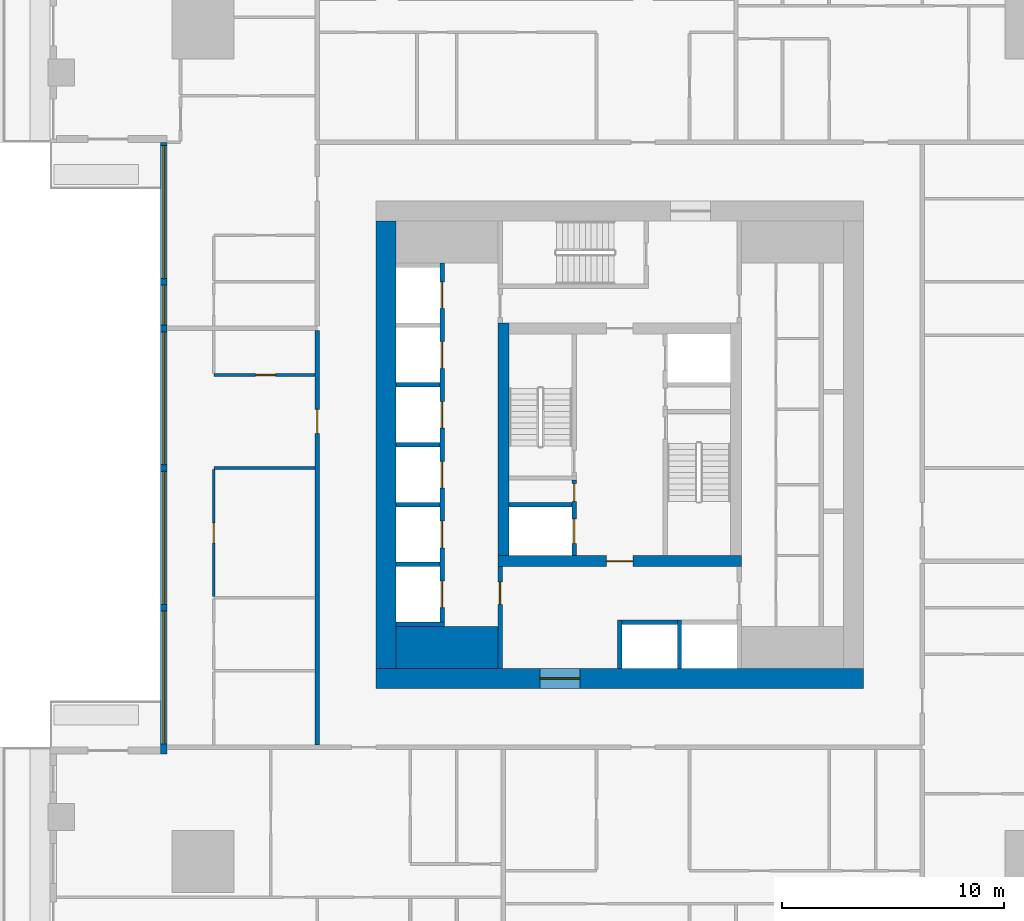
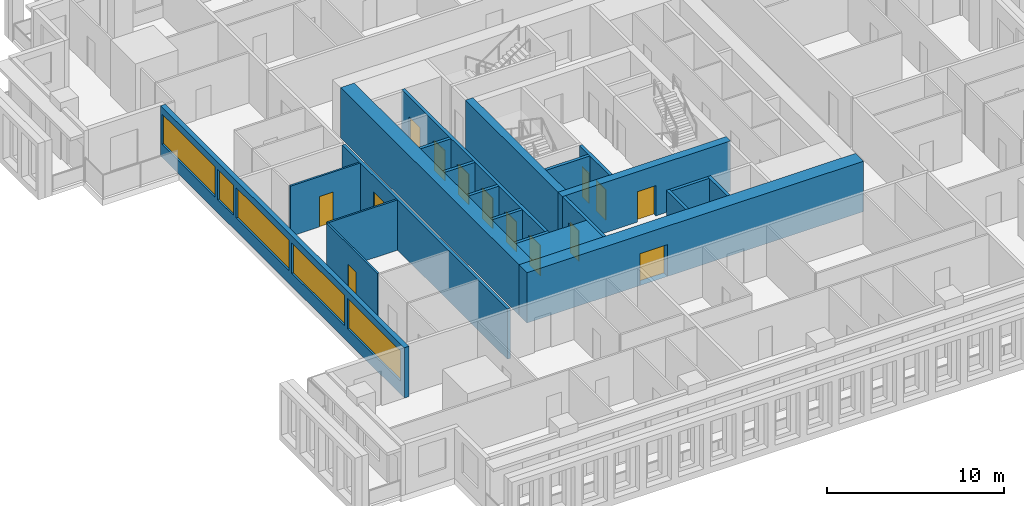
# One storey, part 3 of 15: 22 walls, 14 doors, 5 windows, 19 openings.
"""IFC4 building model written with IfcOpenShell, lengths in metres."""

from ifc_helpers import new_model, si_unit, direction, frame, frame_2d, origin, place, context, subcontext, project, spatial, rectangle, extrude, material, layer, layer_set, type_object, element, fill, save


model = new_model("IFC4")

# Units and contexts
model_context = context("Model", 3, precision=1e-05, world=origin(), true_north=direction((0.0, 1.0)))
body_context = subcontext(model_context, "Body", "Model", "MODEL_VIEW")
ifc_project = project(units=[si_unit("LENGTHUNIT", "METRE"), si_unit("AREAUNIT", "SQUARE_METRE"), si_unit("VOLUMEUNIT", "CUBIC_METRE"), si_unit("PLANEANGLEUNIT", "RADIAN"), si_unit("MASSUNIT", "GRAM", prefix="KILO")], contexts=[model_context])

# Site, building, storey
site_placement = place(None, origin())
site = spatial("IfcSite", under=ifc_project, at=site_placement, CompositionType="ELEMENT")
building_placement = place(site_placement, origin())
building = spatial("IfcBuilding", under=site, at=building_placement, Name="Khepri Terraces", CompositionType="ELEMENT")
storey_placement = place(building_placement, frame((0.0, 0.0, 118.199951171875)))
storey = spatial("IfcBuildingStorey", under=building, at=storey_placement, Name="L28", CompositionType="ELEMENT", Elevation=118.199951171875)

# Walls
ifc_material_1 = material(Name="Concrete C70/85", Category="concrete")
ifc_layer_1 = layer(ifc_material_1, 1.89990234375, Name="Concrete C70/85", Category="concrete")
ifc_layer_set_1 = layer_set([ifc_layer_1], Name="Concrete C70/85")
wall_type_1 = type_object("IfcWallType", Name="Core wall 1900 C70/85", PredefinedType="SHEAR", material=ifc_layer_set_1)
wall_1_placement = place(storey_placement, frame((-10.10009765625, -9.14990234375, 0.0), z_axis=(0.0, 0.0, 1.0), x_axis=(1.0, 0.0, 0.0)))
element("IfcWall", 1, at=wall_1_placement, inside=storey, type_object=wall_type_1, Name="Core wall PR01 L28", PredefinedType="SHEAR", context=body_context, shape_type="SweptSolid", body=[
    extrude(rectangle(XDim=4.60009765625, YDim=1.89990234375, at=frame_2d((2.300048828125, 0.0))), origin(), (0.0, 0.0, 1.0), 3.47998046875),
])
ifc_layer_2 = layer(ifc_material_1, 0.199951171875, Name="Concrete C70/85", Category="concrete")
ifc_layer_set_2 = layer_set([ifc_layer_2], Name="Concrete C70/85")
wall_type_2 = type_object("IfcWallType", Name="Core wall 200 C70/85", PredefinedType="SHEAR", material=ifc_layer_set_2)
for number, where, z_axis, x_axis, name in (
    (2, (0.0, -10.10009765625, 0.0), (0.0, 0.0, 1.0), (0.0, 1.0, 0.0), "Core wall SH01 L28"),
    (3, (2.699951171875, -10.10009765625, 0.0), (0.0, 0.0, 1.0), (0.0, 1.0, 0.0), "Core wall SH02 L28"),
    (4, (-10.10009765625, -8.10009765625, 0.0), (0.0, 0.0, 1.0), (1.0, 0.0, 0.0), "Core wall SH04 L28"),
):
    element("IfcWall", number, at=place(storey_placement, frame(where, z_axis=z_axis, x_axis=x_axis)), inside=storey, type_object=wall_type_2, Name=name, PredefinedType="SHEAR", context=body_context, shape_type="SweptSolid", body=[
        extrude(rectangle(XDim=2.2001953125, YDim=0.199951171875, at=frame_2d((1.10009765625, 0.0))), origin(), (0.0, 0.0, 1.0), 3.47998046875),
    ])
wall_2_placement = place(storey_placement, frame((0.10009765625, -8.0, 0.0), z_axis=(0.0, 0.0, 1.0), x_axis=(1.0, 0.0, 0.0)))
element("IfcWall", 5, at=wall_2_placement, inside=storey, type_object=wall_type_2, Name="Core wall SH06 L28", PredefinedType="SHEAR", context=body_context, shape_type="SweptSolid", body=[
    extrude(rectangle(XDim=2.5, YDim=0.199951171875, at=frame_2d((1.25, 0.0))), origin(), (0.0, 0.0, 1.0), 3.47998046875),
])

# Wall, openings, doors
wall_3_placement = place(storey_placement, frame((-8.0, -8.0, 0.0), z_axis=(0.0, 0.0, 1.0), x_axis=(0.0, 1.0, 0.0)))
wall_3 = element("IfcWall", 6, at=wall_3_placement, inside=storey, type_object=wall_type_2, Name="Core wall SH08 L28", PredefinedType="SHEAR", context=body_context, shape_type="SweptSolid", body=[
    extrude(rectangle(XDim=16.199951171875, YDim=0.199951171875, at=frame_2d((8.10009765625, 0.0))), origin(), (0.0, 0.0, 1.0), 3.47998046875),
])
opening_1_placement = place(wall_3_placement, frame((0.64990234375, 0.0, 0.0)))
opening_1 = element("IfcOpeningElement", 7, at=opening_1_placement, cuts=wall_3, Name="Opening L28-C01", PredefinedType="OPENING", context=body_context, shape_type="SweptSolid", body=[
    extrude(rectangle(XDim=1.199951171875, YDim=2.10009765625, at=frame_2d((0.60009765625, 1.050048828125))), frame((0.0, 0.10986328125, 0.0), z_axis=(0.0, -1.0, 0.0), x_axis=(1.0, 0.0, 0.0)), (0.0, 0.0, 1.0), 0.219970703125),
])
opening_2_placement = place(wall_3_placement, frame((3.35009765625, 0.0, 0.0)))
opening_2 = element("IfcOpeningElement", 8, at=opening_2_placement, cuts=wall_3, Name="Opening L28-C02", PredefinedType="OPENING", context=body_context, shape_type="SweptSolid", body=[
    extrude(rectangle(XDim=1.199951171875, YDim=2.10009765625, at=frame_2d((0.60009765625, 1.050048828125))), frame((0.0, 0.10986328125, 0.0), z_axis=(0.0, -1.0, 0.0), x_axis=(1.0, 0.0, 0.0)), (0.0, 0.0, 1.0), 0.219970703125),
])
opening_3_placement = place(wall_3_placement, frame((6.050048828125, 0.0, 0.0)))
opening_3 = element("IfcOpeningElement", 9, at=opening_3_placement, cuts=wall_3, Name="Opening L28-C03", PredefinedType="OPENING", context=body_context, shape_type="SweptSolid", body=[
    extrude(rectangle(XDim=1.199951171875, YDim=2.10009765625, at=frame_2d((0.60009765625, 1.050048828125))), frame((0.0, 0.10986328125, 0.0), z_axis=(0.0, -1.0, 0.0), x_axis=(1.0, 0.0, 0.0)), (0.0, 0.0, 1.0), 0.219970703125),
])
opening_4_placement = place(wall_3_placement, frame((8.75, 0.0, 0.0)))
opening_4 = element("IfcOpeningElement", 10, at=opening_4_placement, cuts=wall_3, Name="Opening L28-C04", PredefinedType="OPENING", context=body_context, shape_type="SweptSolid", body=[
    extrude(rectangle(XDim=1.199951171875, YDim=2.10009765625, at=frame_2d((0.60009765625, 1.050048828125))), frame((0.0, 0.10986328125, 0.0), z_axis=(0.0, -1.0, 0.0), x_axis=(1.0, 0.0, 0.0)), (0.0, 0.0, 1.0), 0.219970703125),
])
opening_5_placement = place(wall_3_placement, frame((11.449951171875, 0.0, 0.0)))
opening_5 = element("IfcOpeningElement", 11, at=opening_5_placement, cuts=wall_3, Name="Opening L28-C05", PredefinedType="OPENING", context=body_context, shape_type="SweptSolid", body=[
    extrude(rectangle(XDim=1.199951171875, YDim=2.10009765625, at=frame_2d((0.60009765625, 1.050048828125))), frame((0.0, 0.10986328125, 0.0), z_axis=(0.0, -1.0, 0.0), x_axis=(1.0, 0.0, 0.0)), (0.0, 0.0, 1.0), 0.219970703125),
])
opening_6_placement = place(wall_3_placement, frame((14.14990234375, 0.0, 0.0)))
opening_6 = element("IfcOpeningElement", 12, at=opening_6_placement, cuts=wall_3, Name="Opening L28-C06", PredefinedType="OPENING", context=body_context, shape_type="SweptSolid", body=[
    extrude(rectangle(XDim=1.199951171875, YDim=2.10009765625, at=frame_2d((0.60009765625, 1.050048828125))), frame((0.0, 0.10986328125, 0.0), z_axis=(0.0, -1.0, 0.0), x_axis=(1.0, 0.0, 0.0)), (0.0, 0.0, 1.0), 0.219970703125),
])
ifc_material_2 = material(Name="Stainless steel 304", Category="steel")
door_type_1 = type_object("IfcDoorType", Name="DR-CORE-LANDING-1200", OperationType="NOTDEFINED", PredefinedType="DOOR", material=ifc_material_2)
door_1_placement = place(opening_1_placement, origin())
door_1 = element("IfcDoor", 13, at=door_1_placement, inside=storey, type_object=door_type_1, Name="Lift landing door L28-C01", OperationType="SLIDING_TO_LEFT", OverallHeight=2.10009765625, OverallWidth=1.199951171875, PredefinedType="DOOR", context=body_context, shape_type="SweptSolid", body=[
    extrude(rectangle(XDim=1.199951171875, YDim=2.10009765625, at=frame_2d((0.60009765625, 1.050048828125))), frame((0.0, 0.02490234375, 0.0), z_axis=(0.0, -1.0, 0.0), x_axis=(1.0, 0.0, 0.0)), (0.0, 0.0, 1.0), 0.050048828125),
])
fill(opening_1, door_1)
door_2_placement = place(opening_2_placement, origin())
door_2 = element("IfcDoor", 14, at=door_2_placement, inside=storey, type_object=door_type_1, Name="Lift landing door L28-C02", OperationType="SLIDING_TO_LEFT", OverallHeight=2.10009765625, OverallWidth=1.199951171875, PredefinedType="DOOR", context=body_context, shape_type="SweptSolid", body=[
    extrude(rectangle(XDim=1.199951171875, YDim=2.10009765625, at=frame_2d((0.60009765625, 1.050048828125))), frame((0.0, 0.02490234375, 0.0), z_axis=(0.0, -1.0, 0.0), x_axis=(1.0, 0.0, 0.0)), (0.0, 0.0, 1.0), 0.050048828125),
])
fill(opening_2, door_2)
door_3_placement = place(opening_3_placement, origin())
door_3 = element("IfcDoor", 15, at=door_3_placement, inside=storey, type_object=door_type_1, Name="Lift landing door L28-C03", OperationType="SLIDING_TO_LEFT", OverallHeight=2.10009765625, OverallWidth=1.199951171875, PredefinedType="DOOR", context=body_context, shape_type="SweptSolid", body=[
    extrude(rectangle(XDim=1.199951171875, YDim=2.10009765625, at=frame_2d((0.60009765625, 1.050048828125))), frame((0.0, 0.02490234375, 0.0), z_axis=(0.0, -1.0, 0.0), x_axis=(1.0, 0.0, 0.0)), (0.0, 0.0, 1.0), 0.050048828125),
])
fill(opening_3, door_3)
door_4_placement = place(opening_4_placement, origin())
door_4 = element("IfcDoor", 16, at=door_4_placement, inside=storey, type_object=door_type_1, Name="Lift landing door L28-C04", OperationType="SLIDING_TO_LEFT", OverallHeight=2.10009765625, OverallWidth=1.199951171875, PredefinedType="DOOR", context=body_context, shape_type="SweptSolid", body=[
    extrude(rectangle(XDim=1.199951171875, YDim=2.10009765625, at=frame_2d((0.60009765625, 1.050048828125))), frame((0.0, 0.02490234375, 0.0), z_axis=(0.0, -1.0, 0.0), x_axis=(1.0, 0.0, 0.0)), (0.0, 0.0, 1.0), 0.050048828125),
])
fill(opening_4, door_4)
door_5_placement = place(opening_5_placement, origin())
door_5 = element("IfcDoor", 17, at=door_5_placement, inside=storey, type_object=door_type_1, Name="Lift landing door L28-C05", OperationType="SLIDING_TO_LEFT", OverallHeight=2.10009765625, OverallWidth=1.199951171875, PredefinedType="DOOR", context=body_context, shape_type="SweptSolid", body=[
    extrude(rectangle(XDim=1.199951171875, YDim=2.10009765625, at=frame_2d((0.60009765625, 1.050048828125))), frame((0.0, 0.02490234375, 0.0), z_axis=(0.0, -1.0, 0.0), x_axis=(1.0, 0.0, 0.0)), (0.0, 0.0, 1.0), 0.050048828125),
])
fill(opening_5, door_5)
door_6_placement = place(opening_6_placement, origin())
door_6 = element("IfcDoor", 18, at=door_6_placement, inside=storey, type_object=door_type_1, Name="Lift landing door L28-C06", OperationType="SLIDING_TO_LEFT", OverallHeight=2.10009765625, OverallWidth=1.199951171875, PredefinedType="DOOR", context=body_context, shape_type="SweptSolid", body=[
    extrude(rectangle(XDim=1.199951171875, YDim=2.10009765625, at=frame_2d((0.60009765625, 1.050048828125))), frame((0.0, 0.02490234375, 0.0), z_axis=(0.0, -1.0, 0.0), x_axis=(1.0, 0.0, 0.0)), (0.0, 0.0, 1.0), 0.050048828125),
])
fill(opening_6, door_6)

# Wall
wall_4_placement = place(storey_placement, frame((-10.10009765625, -5.39990234375, 0.0), z_axis=(0.0, 0.0, 1.0), x_axis=(1.0, 0.0, 0.0)))
element("IfcWall", 19, at=wall_4_placement, inside=storey, type_object=wall_type_2, Name="Core wall SH09 L28", PredefinedType="SHEAR", context=body_context, shape_type="SweptSolid", body=[
    extrude(rectangle(XDim=2.0, YDim=0.199951171875, at=frame_2d((1.0, 0.0))), origin(), (0.0, 0.0, 1.0), 3.47998046875),
])

# Wall, openings, doors
wall_5_placement = place(storey_placement, frame((-2.050048828125, -5.0, 0.0), z_axis=(0.0, 0.0, 1.0), x_axis=(0.0, 1.0, 0.0)))
wall_5 = element("IfcWall", 20, at=wall_5_placement, inside=storey, type_object=wall_type_2, Name="Core wall SH10 L28", PredefinedType="SHEAR", context=body_context, shape_type="SweptSolid", body=[
    extrude(rectangle(XDim=3.39990234375, YDim=0.199951171875, at=frame_2d((1.699951171875, 0.0))), origin(), (0.0, 0.0, 1.0), 3.47998046875),
])
opening_7_placement = place(wall_5_placement, frame((0.550048828125, 0.0, 0.0)))
opening_7 = element("IfcOpeningElement", 21, at=opening_7_placement, cuts=wall_5, Name="Opening L28-C08", PredefinedType="OPENING", context=body_context, shape_type="SweptSolid", body=[
    extrude(rectangle(XDim=1.10009765625, YDim=2.10009765625, at=frame_2d((0.550048828125, 1.050048828125))), frame((0.0, 0.10986328125, 0.0), z_axis=(0.0, -1.0, 0.0), x_axis=(1.0, 0.0, 0.0)), (0.0, 0.0, 1.0), 0.219970703125),
])
opening_8_placement = place(wall_5_placement, frame((2.449951171875, 0.0, 0.0)))
opening_8 = element("IfcOpeningElement", 22, at=opening_8_placement, cuts=wall_5, Name="Opening L28-C12", PredefinedType="OPENING", context=body_context, shape_type="SweptSolid", body=[
    extrude(rectangle(XDim=0.800048828125, YDim=2.10009765625, at=frame_2d((0.39990234375, 1.050048828125))), frame((0.0, 0.10986328125, 0.0), z_axis=(0.0, -1.0, 0.0), x_axis=(1.0, 0.0, 0.0)), (0.0, 0.0, 1.0), 0.219970703125),
])
door_type_2 = type_object("IfcDoorType", Name="DR-CORE-FF-LANDING-1100", OperationType="NOTDEFINED", PredefinedType="DOOR", material=ifc_material_2)
door_7_placement = place(opening_7_placement, origin())
door_7 = element("IfcDoor", 23, at=door_7_placement, inside=storey, type_object=door_type_2, Name="Firefighting lift landing door L28-C08", OperationType="SLIDING_TO_LEFT", OverallHeight=2.10009765625, OverallWidth=1.10009765625, PredefinedType="DOOR", context=body_context, shape_type="SweptSolid", body=[
    extrude(rectangle(XDim=1.10009765625, YDim=2.10009765625, at=frame_2d((0.550048828125, 1.050048828125))), frame((0.0, 0.02490234375, 0.0), z_axis=(0.0, -1.0, 0.0), x_axis=(1.0, 0.0, 0.0)), (0.0, 0.0, 1.0), 0.050048828125),
])
fill(opening_7, door_7)
ifc_material_3 = material(Name="Painted steel", Category="steel")
door_type_3 = type_object("IfcDoorType", Name="DR-CORE-RISER-800", OperationType="NOTDEFINED", PredefinedType="DOOR", material=ifc_material_3)
door_8_placement = place(opening_8_placement, origin())
door_8 = element("IfcDoor", 24, at=door_8_placement, inside=storey, type_object=door_type_3, Name="Riser door L28-C12", OperationType="SINGLE_SWING_RIGHT", OverallHeight=2.10009765625, OverallWidth=0.800048828125, PredefinedType="DOOR", context=body_context, shape_type="SweptSolid", body=[
    extrude(rectangle(XDim=0.800048828125, YDim=2.10009765625, at=frame_2d((0.39990234375, 1.050048828125))), frame((0.0, 0.02490234375, 0.0), z_axis=(0.0, -1.0, 0.0), x_axis=(1.0, 0.0, 0.0)), (0.0, 0.0, 1.0), 0.050048828125),
])
fill(opening_8, door_8)

# Walls
wall_6_placement = place(storey_placement, frame((-10.10009765625, -2.699951171875, 0.0), z_axis=(0.0, 0.0, 1.0), x_axis=(1.0, 0.0, 0.0)))
element("IfcWall", 25, at=wall_6_placement, inside=storey, type_object=wall_type_2, Name="Core wall SH12 L28", PredefinedType="SHEAR", context=body_context, shape_type="SweptSolid", body=[
    extrude(rectangle(XDim=2.0, YDim=0.199951171875, at=frame_2d((1.0, 0.0))), origin(), (0.0, 0.0, 1.0), 3.47998046875),
])
wall_7_placement = place(storey_placement, frame((-5.0, -2.699951171875, 0.0), z_axis=(0.0, 0.0, 1.0), x_axis=(1.0, 0.0, 0.0)))
element("IfcWall", 26, at=wall_7_placement, inside=storey, type_object=wall_type_2, Name="Core wall SH13 L28", PredefinedType="SHEAR", context=body_context, shape_type="SweptSolid", body=[
    extrude(rectangle(XDim=2.85009765625, YDim=0.199951171875, at=frame_2d((1.425048828125, 0.0))), origin(), (0.0, 0.0, 1.0), 3.47998046875),
])
for number, where, z_axis, x_axis, name in (
    (27, (-10.10009765625, 0.0, 0.0), (0.0, 0.0, 1.0), (1.0, 0.0, 0.0), "Core wall SH14 L28"),
    (28, (-10.10009765625, 2.699951171875, 0.0), (0.0, 0.0, 1.0), (1.0, 0.0, 0.0), "Core wall SH17 L28"),
):
    element("IfcWall", number, at=place(storey_placement, frame(where, z_axis=z_axis, x_axis=x_axis)), inside=storey, type_object=wall_type_2, Name=name, PredefinedType="SHEAR", context=body_context, shape_type="SweptSolid", body=[
        extrude(rectangle(XDim=2.0, YDim=0.199951171875, at=frame_2d((1.0, 0.0))), origin(), (0.0, 0.0, 1.0), 3.47998046875),
    ])

# Wall, opening, door
ifc_layer_3 = layer(ifc_material_1, 0.5, Name="Concrete C70/85", Category="concrete")
ifc_layer_set_3 = layer_set([ifc_layer_3], Name="Concrete C70/85")
wall_type_3 = type_object("IfcWallType", Name="Core wall 500 C70/85", PredefinedType="SHEAR", material=ifc_layer_set_3)
wall_8_placement = place(storey_placement, frame((-5.5, -5.25, 0.0), z_axis=(0.0, 0.0, 1.0), x_axis=(1.0, 0.0, 0.0)))
wall_8 = element("IfcWall", 29, at=wall_8_placement, inside=storey, type_object=wall_type_3, Name="Core wall BX01 L28", PredefinedType="SHEAR", context=body_context, shape_type="SweptSolid", body=[
    extrude(rectangle(XDim=11.0, YDim=0.5, at=frame_2d((5.5, 0.0))), origin(), (0.0, 0.0, 1.0), 3.47998046875),
])
opening_9_placement = place(wall_8_placement, frame((4.89990234375, 0.0, 0.0)))
opening_9 = element("IfcOpeningElement", 30, at=opening_9_placement, cuts=wall_8, Name="Opening L28-C14", PredefinedType="OPENING", context=body_context, shape_type="SweptSolid", body=[
    extrude(rectangle(XDim=1.199951171875, YDim=2.10009765625, at=frame_2d((0.60009765625, 1.050048828125))), frame((0.0, 0.260009765625, 0.0), z_axis=(0.0, -1.0, 0.0), x_axis=(1.0, 0.0, 0.0)), (0.0, 0.0, 1.0), 0.52001953125),
])
door_type_4 = type_object("IfcDoorType", Name="DR-CORE-FF-LOBBY-1200", OperationType="NOTDEFINED", PredefinedType="DOOR", material=ifc_material_3)
door_9_placement = place(opening_9_placement, origin())
door_9 = element("IfcDoor", 31, at=door_9_placement, inside=storey, type_object=door_type_4, Name="Firefighting lobby door L28-C14", OperationType="SINGLE_SWING_RIGHT", OverallHeight=2.10009765625, OverallWidth=1.199951171875, PredefinedType="DOOR", context=body_context, shape_type="SweptSolid", body=[
    extrude(rectangle(XDim=1.199951171875, YDim=2.10009765625, at=frame_2d((0.60009765625, 1.050048828125))), frame((0.0, 0.02490234375, 0.0), z_axis=(0.0, -1.0, 0.0), x_axis=(1.0, 0.0, 0.0)), (0.0, 0.0, 1.0), 0.050048828125),
])
fill(opening_9, door_9)

# Wall
wall_9_placement = place(storey_placement, frame((-5.25, -5.0, 0.0), z_axis=(0.0, 0.0, 1.0), x_axis=(0.0, 1.0, 0.0)))
element("IfcWall", 32, at=wall_9_placement, inside=storey, type_object=wall_type_3, Name="Core wall BX02 L28", PredefinedType="SHEAR", context=body_context, shape_type="SweptSolid", body=[
    extrude(rectangle(XDim=10.5, YDim=0.5, at=frame_2d((5.25, 0.0))), origin(), (0.0, 0.0, 1.0), 3.47998046875),
])

# Wall, opening, door
ifc_layer_4 = layer(ifc_material_1, 0.89990234375, Name="Concrete C70/85", Category="concrete")
ifc_layer_set_4 = layer_set([ifc_layer_4], Name="Concrete C70/85")
wall_type_4 = type_object("IfcWallType", Name="Core wall 900 C70/85", PredefinedType="SHEAR", material=ifc_layer_set_4)
wall_10_placement = place(storey_placement, frame((-11.0, -10.550048828125, 0.0), z_axis=(0.0, 0.0, 1.0), x_axis=(1.0, 0.0, 0.0)))
wall_10 = element("IfcWall", 33, at=wall_10_placement, inside=storey, type_object=wall_type_4, Name="Core wall OW-S L28", PredefinedType="SHEAR", context=body_context, shape_type="SweptSolid", body=[
    extrude(rectangle(XDim=22.0, YDim=0.89990234375, at=frame_2d((11.0, 0.0))), origin(), (0.0, 0.0, 1.0), 3.47998046875),
])
opening_10_placement = place(wall_10_placement, frame((7.39990234375, 0.0, 0.0)))
opening_10 = element("IfcOpeningElement", 34, at=opening_10_placement, cuts=wall_10, Name="Opening L28-C21", PredefinedType="OPENING", context=body_context, shape_type="SweptSolid", body=[
    extrude(rectangle(XDim=1.800048828125, YDim=2.199951171875, at=frame_2d((0.89990234375, 1.10009765625))), frame((0.0, 0.4599609375, 0.0), z_axis=(0.0, -1.0, 0.0), x_axis=(1.0, 0.0, 0.0)), (0.0, 0.0, 1.0), 0.919921875),
])
door_type_5 = type_object("IfcDoorType", Name="DR-CORE-ENTRANCE-1800", OperationType="NOTDEFINED", PredefinedType="DOOR", material=ifc_material_3)
door_10_placement = place(opening_10_placement, frame((1.800048828125, 0.0, 0.0), z_axis=(0.0, 0.0, 1.0), x_axis=(-1.0, 0.0, 0.0)))
door_10 = element("IfcDoor", 35, at=door_10_placement, inside=storey, type_object=door_type_5, Name="Core entrance door pair L28-C21", OperationType="DOUBLE_DOOR_SINGLE_SWING", OverallHeight=2.199951171875, OverallWidth=1.800048828125, PredefinedType="DOOR", context=body_context, shape_type="SweptSolid", body=[
    extrude(rectangle(XDim=1.800048828125, YDim=2.199951171875, at=frame_2d((0.89990234375, 1.10009765625))), frame((0.0, 0.02490234375, 0.0), z_axis=(0.0, -1.0, 0.0), x_axis=(1.0, 0.0, 0.0)), (0.0, 0.0, 1.0), 0.050048828125),
])
fill(opening_10, door_10)

# Wall
wall_11_placement = place(storey_placement, frame((-10.550048828125, -10.10009765625, 0.0), z_axis=(0.0, 0.0, 1.0), x_axis=(0.0, 1.0, 0.0)))
element("IfcWall", 36, at=wall_11_placement, inside=storey, type_object=wall_type_4, Name="Core wall OW-W L28", PredefinedType="SHEAR", context=body_context, shape_type="SweptSolid", body=[
    extrude(rectangle(XDim=20.2001953125, YDim=0.89990234375, at=frame_2d((10.10009765625, 0.0))), origin(), (0.0, 0.0, 1.0), 3.47998046875),
])

# Wall, opening, door
ifc_material_4 = material(Name="Fire-rated gypsum board partition")
ifc_layer_5 = layer(ifc_material_4, 0.199951171875, Name="Fire-rated gypsum board partition")
ifc_layer_set_5 = layer_set([ifc_layer_5], Name="Fire-rated gypsum board partition")
wall_type_5 = type_object("IfcWallType", Name="WL-CORE-PART-200", PredefinedType="PARTITIONING", material=ifc_layer_set_5)
wall_12_placement = place(storey_placement, frame((-5.39990234375, -10.10009765625, 0.0), z_axis=(0.0, 0.0, 1.0), x_axis=(0.0, 1.0, 0.0)))
wall_12 = element("IfcWall", 37, at=wall_12_placement, inside=storey, type_object=wall_type_5, Name="Core partition PT01 L28", PredefinedType="PARTITIONING", context=body_context, shape_type="SweptSolid", body=[
    extrude(rectangle(XDim=4.60009765625, YDim=0.199951171875, at=frame_2d((2.300048828125, 0.0))), origin(), (0.0, 0.0, 1.0), 3.47998046875),
])
opening_11_placement = place(wall_12_placement, frame((2.89990234375, 0.0, 0.0)))
opening_11 = element("IfcOpeningElement", 38, at=opening_11_placement, cuts=wall_12, Name="Opening L28-C18", PredefinedType="OPENING", context=body_context, shape_type="SweptSolid", body=[
    extrude(rectangle(XDim=1.0, YDim=2.10009765625, at=frame_2d((0.5, 1.050048828125))), frame((0.0, 0.10986328125, 0.0), z_axis=(0.0, -1.0, 0.0), x_axis=(1.0, 0.0, 0.0)), (0.0, 0.0, 1.0), 0.219970703125),
])
door_type_6 = type_object("IfcDoorType", Name="DR-CORE-LOBBY-1000", OperationType="NOTDEFINED", PredefinedType="DOOR", material=ifc_material_3)
door_11_placement = place(opening_11_placement, frame((1.0, 0.0, 0.0), z_axis=(0.0, 0.0, 1.0), x_axis=(-1.0, 0.0, 0.0)))
door_11 = element("IfcDoor", 39, at=door_11_placement, inside=storey, type_object=door_type_6, Name="Lobby door L28-C18", OperationType="SINGLE_SWING_LEFT", OverallHeight=2.10009765625, OverallWidth=1.0, PredefinedType="DOOR", context=body_context, shape_type="SweptSolid", body=[
    extrude(rectangle(XDim=1.0, YDim=2.10009765625, at=frame_2d((0.5, 1.050048828125))), frame((0.0, 0.02490234375, 0.0), z_axis=(0.0, -1.0, 0.0), x_axis=(1.0, 0.0, 0.0)), (0.0, 0.0, 1.0), 0.050048828125),
])
fill(opening_11, door_11)

ifc_material_5 = material(Name="Fire-rated gypsum plasterboard partition, mineral wool")
ifc_layer_6 = layer(ifc_material_5, 0.199951171875, Name="Fire-rated gypsum plasterboard partition, mineral wool")
ifc_layer_set_6 = layer_set([ifc_layer_6], Name="Fire-rated gypsum plasterboard partition, mineral wool")
wall_type_6 = type_object("IfcWallType", Name="WL-CORR-200", PredefinedType="PARTITIONING", material=ifc_layer_set_6)
wall_13_placement = place(storey_placement, frame((-13.64990234375, -13.550048828125, 0.0), z_axis=(0.0, 0.0, 1.0), x_axis=(0.0, 1.0, 0.0)))
wall_13 = element("IfcWall", 40, at=wall_13_placement, inside=storey, type_object=wall_type_6, Name="Partition P-029 L28", PredefinedType="PARTITIONING", context=body_context, shape_type="SweptSolid", body=[
    extrude(rectangle(XDim=18.699951171875, YDim=0.199951171875, at=frame_2d((9.35009765625, 0.0))), origin(), (0.0, 0.0, 1.0), 3.47998046875),
])
opening_12_placement = place(wall_13_placement, frame((14.050048828125, 0.0, 0.0)))
opening_12 = element("IfcOpeningElement", 41, at=opening_12_placement, cuts=wall_13, Name="Opening D1", PredefinedType="OPENING", context=body_context, shape_type="SweptSolid", body=[
    extrude(rectangle(XDim=1.10009765625, YDim=2.39990234375, at=frame_2d((0.550048828125, 1.199951171875))), frame((0.0, 0.10986328125, 0.0), z_axis=(0.0, -1.0, 0.0), x_axis=(1.0, 0.0, 0.0)), (0.0, 0.0, 1.0), 0.219970703125),
])
ifc_material_6 = material(Name="Solid-core timber door leaf, flat entrance door", Category="wood")
door_type_7 = type_object("IfcDoorType", Name="DR-ENT-1100", OperationType="NOTDEFINED", PredefinedType="DOOR", material=ifc_material_6)
door_12_placement = place(opening_12_placement, origin())
door_12 = element("IfcDoor", 42, at=door_12_placement, inside=storey, type_object=door_type_7, Name="Flat D2 entrance door", OperationType="SINGLE_SWING_RIGHT", OverallHeight=2.39990234375, OverallWidth=1.10009765625, PredefinedType="DOOR", context=body_context, shape_type="SweptSolid", body=[
    extrude(rectangle(XDim=1.10009765625, YDim=2.39990234375, at=frame_2d((0.550048828125, 1.199951171875))), frame((0.0, 0.02490234375, 0.0), z_axis=(0.0, -1.0, 0.0), x_axis=(1.0, 0.0, 0.0)), (0.0, 0.0, 1.0), 0.050048828125),
])
fill(opening_12, door_12)

# Wall, openings, windows
ifc_material_7 = material(Name="Precast concrete C50/60 warm stone", Category="masonry")
ifc_layer_7 = layer(ifc_material_7, 0.300048828125, Name="Precast concrete C50/60 warm stone", Category="masonry")
ifc_layer_set_7 = layer_set([ifc_layer_7], Name="Precast concrete C50/60 warm stone")
wall_type_7 = type_object("IfcWallType", Name="WL-EXT-PRECAST-300", PredefinedType="STANDARD", material=ifc_layer_set_7)
wall_14_placement = place(storey_placement, frame((-20.570068359375, 13.64990234375, 0.0), z_axis=(0.0, 0.0, 1.0), x_axis=(0.0, -1.0, 0.0)))
wall_14 = element("IfcWall", 43, at=wall_14_placement, inside=storey, type_object=wall_type_7, Name="External wall L28 W", PredefinedType="STANDARD", context=body_context, shape_type="SweptSolid", body=[
    extrude(rectangle(XDim=27.599853515625, YDim=0.300048828125, at=frame_2d((13.7998046875, 0.0))), origin(), (0.0, 0.0, 1.0), 3.47998046875),
])
opening_13_placement = place(wall_14_placement, frame((0.14990234375, 0.0, 0.89990234375)))
opening_13 = element("IfcOpeningElement", 44, at=opening_13_placement, cuts=wall_14, Name="Opening W3", PredefinedType="OPENING", context=body_context, shape_type="SweptSolid", body=[
    extrude(rectangle(XDim=6.0, YDim=2.10009765625, at=frame_2d((3.0, 1.050048828125))), frame((0.0, 0.16015625, 0.0), z_axis=(0.0, -1.0, 0.0), x_axis=(1.0, 0.0, 0.0)), (0.0, 0.0, 1.0), 0.320068359375),
])
opening_14_placement = place(wall_14_placement, frame((6.449951171875, 0.0, 0.89990234375)))
opening_14 = element("IfcOpeningElement", 45, at=opening_14_placement, cuts=wall_14, Name="Opening W1", PredefinedType="OPENING", context=body_context, shape_type="SweptSolid", body=[
    extrude(rectangle(XDim=1.800048828125, YDim=2.10009765625, at=frame_2d((0.89990234375, 1.050048828125))), frame((0.0, 0.16015625, 0.0), z_axis=(0.0, -1.0, 0.0), x_axis=(1.0, 0.0, 0.0)), (0.0, 0.0, 1.0), 0.320068359375),
])
opening_15_placement = place(wall_14_placement, frame((8.550048828125, 0.0, 0.89990234375)))
opening_15 = element("IfcOpeningElement", 46, at=opening_15_placement, cuts=wall_14, Name="Opening W3", PredefinedType="OPENING", context=body_context, shape_type="SweptSolid", body=[
    extrude(rectangle(XDim=6.0, YDim=2.10009765625, at=frame_2d((3.0, 1.050048828125))), frame((0.0, 0.16015625, 0.0), z_axis=(0.0, -1.0, 0.0), x_axis=(1.0, 0.0, 0.0)), (0.0, 0.0, 1.0), 0.320068359375),
])
opening_16_placement = place(wall_14_placement, frame((14.85009765625, 0.0, 0.89990234375)))
opening_16 = element("IfcOpeningElement", 47, at=opening_16_placement, cuts=wall_14, Name="Opening W3", PredefinedType="OPENING", context=body_context, shape_type="SweptSolid", body=[
    extrude(rectangle(XDim=6.0, YDim=2.10009765625, at=frame_2d((3.0, 1.050048828125))), frame((0.0, 0.16015625, 0.0), z_axis=(0.0, -1.0, 0.0), x_axis=(1.0, 0.0, 0.0)), (0.0, 0.0, 1.0), 0.320068359375),
])
opening_17_placement = place(wall_14_placement, frame((21.14990234375, 0.0, 0.89990234375)))
opening_17 = element("IfcOpeningElement", 48, at=opening_17_placement, cuts=wall_14, Name="Opening W3", PredefinedType="OPENING", context=body_context, shape_type="SweptSolid", body=[
    extrude(rectangle(XDim=6.0, YDim=2.10009765625, at=frame_2d((3.0, 1.050048828125))), frame((0.0, 0.16015625, 0.0), z_axis=(0.0, -1.0, 0.0), x_axis=(1.0, 0.0, 0.0)), (0.0, 0.0, 1.0), 0.320068359375),
])
ifc_material_8 = material(Name="Clear glass", Category="glass")
window_type_1 = type_object("IfcWindowType", Name="WIN-RES-1800x2100", PartitioningType="SINGLE_PANEL", PredefinedType="WINDOW", material=ifc_material_8)
window_1_placement = place(opening_14_placement, origin())
window_1 = element("IfcWindow", 49, at=window_1_placement, inside=storey, type_object=window_type_1, Name="Window L28 W", OverallHeight=2.10009765625, OverallWidth=1.800048828125, PartitioningType="SINGLE_PANEL", PredefinedType="WINDOW", context=body_context, shape_type="SweptSolid", body=[
    extrude(rectangle(XDim=1.800048828125, YDim=2.10009765625, at=frame_2d((0.89990234375, 1.050048828125))), frame((0.0, 0.030029296875, 0.0), z_axis=(0.0, -1.0, 0.0), x_axis=(1.0, 0.0, 0.0)), (0.0, 0.0, 1.0), 0.06005859375),
])
fill(opening_14, window_1)
window_type_2 = type_object("IfcWindowType", Name="WIN-RES-6000x2100", PartitioningType="SINGLE_PANEL", PredefinedType="WINDOW", material=ifc_material_8)
window_2_placement = place(opening_13_placement, origin())
window_2 = element("IfcWindow", 50, at=window_2_placement, inside=storey, type_object=window_type_2, Name="Window L28 W", OverallHeight=2.10009765625, OverallWidth=6.0, PartitioningType="SINGLE_PANEL", PredefinedType="WINDOW", context=body_context, shape_type="SweptSolid", body=[
    extrude(rectangle(XDim=6.0, YDim=2.10009765625, at=frame_2d((3.0, 1.050048828125))), frame((0.0, 0.030029296875, 0.0), z_axis=(0.0, -1.0, 0.0), x_axis=(1.0, 0.0, 0.0)), (0.0, 0.0, 1.0), 0.06005859375),
])
fill(opening_13, window_2)
window_3_placement = place(opening_15_placement, origin())
window_3 = element("IfcWindow", 51, at=window_3_placement, inside=storey, type_object=window_type_2, Name="Window L28 W", OverallHeight=2.10009765625, OverallWidth=6.0, PartitioningType="SINGLE_PANEL", PredefinedType="WINDOW", context=body_context, shape_type="SweptSolid", body=[
    extrude(rectangle(XDim=6.0, YDim=2.10009765625, at=frame_2d((3.0, 1.050048828125))), frame((0.0, 0.030029296875, 0.0), z_axis=(0.0, -1.0, 0.0), x_axis=(1.0, 0.0, 0.0)), (0.0, 0.0, 1.0), 0.06005859375),
])
fill(opening_15, window_3)
window_4_placement = place(opening_16_placement, origin())
window_4 = element("IfcWindow", 52, at=window_4_placement, inside=storey, type_object=window_type_2, Name="Window L28 W", OverallHeight=2.10009765625, OverallWidth=6.0, PartitioningType="SINGLE_PANEL", PredefinedType="WINDOW", context=body_context, shape_type="SweptSolid", body=[
    extrude(rectangle(XDim=6.0, YDim=2.10009765625, at=frame_2d((3.0, 1.050048828125))), frame((0.0, 0.030029296875, 0.0), z_axis=(0.0, -1.0, 0.0), x_axis=(1.0, 0.0, 0.0)), (0.0, 0.0, 1.0), 0.06005859375),
])
fill(opening_16, window_4)
window_5_placement = place(opening_17_placement, origin())
window_5 = element("IfcWindow", 53, at=window_5_placement, inside=storey, type_object=window_type_2, Name="Window L28 W", OverallHeight=2.10009765625, OverallWidth=6.0, PartitioningType="SINGLE_PANEL", PredefinedType="WINDOW", context=body_context, shape_type="SweptSolid", body=[
    extrude(rectangle(XDim=6.0, YDim=2.10009765625, at=frame_2d((3.0, 1.050048828125))), frame((0.0, 0.030029296875, 0.0), z_axis=(0.0, -1.0, 0.0), x_axis=(1.0, 0.0, 0.0)), (0.0, 0.0, 1.0), 0.06005859375),
])
fill(opening_17, window_5)

# Wall, opening, door
ifc_material_9 = material(Name="Gypsum plasterboard partition")
ifc_layer_8 = layer(ifc_material_9, 0.1201171875, Name="Gypsum plasterboard partition")
ifc_layer_set_8 = layer_set([ifc_layer_8], Name="Gypsum plasterboard partition")
wall_type_8 = type_object("IfcWallType", Name="WL-PART-120", PredefinedType="PARTITIONING", material=ifc_layer_set_8)
wall_15_placement = place(storey_placement, frame((-18.320068359375, -6.840087890625, 0.0), z_axis=(0.0, 0.0, 1.0), x_axis=(0.0, 1.0, 0.0)))
wall_15 = element("IfcWall", 54, at=wall_15_placement, inside=storey, type_object=wall_type_8, Name="Partition P-042 L28", PredefinedType="PARTITIONING", context=body_context, shape_type="SweptSolid", body=[
    extrude(rectangle(XDim=5.72998046875, YDim=0.1201171875, at=frame_2d((2.864990234375, 0.0))), origin(), (0.0, 0.0, 1.0), 3.47998046875),
])
opening_18_placement = place(wall_15_placement, frame((2.4150390625, 0.0, 0.0)))
opening_18 = element("IfcOpeningElement", 55, at=opening_18_placement, cuts=wall_15, Name="Opening D3", PredefinedType="OPENING", context=body_context, shape_type="SweptSolid", body=[
    extrude(rectangle(XDim=0.89990234375, YDim=2.10009765625, at=frame_2d((0.449951171875, 1.050048828125))), frame((0.0, 0.070068359375, 0.0), z_axis=(0.0, -1.0, 0.0), x_axis=(1.0, 0.0, 0.0)), (0.0, 0.0, 1.0), 0.14013671875),
])
ifc_material_10 = material(Name="Timber door leaf", Category="wood")
door_type_8 = type_object("IfcDoorType", Name="DR-INT-900", OperationType="NOTDEFINED", PredefinedType="DOOR", material=ifc_material_10)
door_13_placement = place(opening_18_placement, frame((0.89990234375, 0.0, 0.0), z_axis=(0.0, 0.0, 1.0), x_axis=(-1.0, 0.0, 0.0)))
door_13 = element("IfcDoor", 56, at=door_13_placement, inside=storey, type_object=door_type_8, Name="Door Kitchen", OperationType="SINGLE_SWING_LEFT", OverallHeight=2.10009765625, OverallWidth=0.89990234375, PredefinedType="DOOR", context=body_context, shape_type="SweptSolid", body=[
    extrude(rectangle(XDim=0.89990234375, YDim=2.10009765625, at=frame_2d((0.449951171875, 1.050048828125))), frame((0.0, 0.02490234375, 0.0), z_axis=(0.0, -1.0, 0.0), x_axis=(1.0, 0.0, 0.0)), (0.0, 0.0, 1.0), 0.050048828125),
])
fill(opening_18, door_13)

# Wall
wall_16_placement = place(storey_placement, frame((-18.320068359375, -1.050048828125, 0.0), z_axis=(0.0, 0.0, 1.0), x_axis=(1.0, 0.0, 0.0)))
element("IfcWall", 57, at=wall_16_placement, inside=storey, type_object=wall_type_8, Name="Partition P-046 L28", PredefinedType="PARTITIONING", context=body_context, shape_type="SweptSolid", body=[
    extrude(rectangle(XDim=4.570068359375, YDim=0.1201171875, at=frame_2d((2.28515625, 0.0))), origin(), (0.0, 0.0, 1.0), 3.47998046875),
])

# Wall, opening, door
wall_17_placement = place(storey_placement, frame((-18.320068359375, 3.14990234375, 0.0), z_axis=(0.0, 0.0, 1.0), x_axis=(1.0, 0.0, 0.0)))
wall_17 = element("IfcWall", 58, at=wall_17_placement, inside=storey, type_object=wall_type_8, Name="Partition P-049 L28", PredefinedType="PARTITIONING", context=body_context, shape_type="SweptSolid", body=[
    extrude(rectangle(XDim=4.570068359375, YDim=0.1201171875, at=frame_2d((2.28515625, 0.0))), origin(), (0.0, 0.0, 1.0), 3.47998046875),
])
opening_19_placement = place(wall_17_placement, frame((1.885009765625, 0.0, 0.0)))
opening_19 = element("IfcOpeningElement", 59, at=opening_19_placement, cuts=wall_17, Name="Opening D4", PredefinedType="OPENING", context=body_context, shape_type="SweptSolid", body=[
    extrude(rectangle(XDim=0.89990234375, YDim=2.10009765625, at=frame_2d((0.449951171875, 1.050048828125))), frame((0.0, 0.070068359375, 0.0), z_axis=(0.0, -1.0, 0.0), x_axis=(1.0, 0.0, 0.0)), (0.0, 0.0, 1.0), 0.14013671875),
])
ifc_material_11 = material(Name="Timber door leaf, moisture resistant", Category="wood")
door_type_9 = type_object("IfcDoorType", Name="DR-WET-900", OperationType="NOTDEFINED", PredefinedType="DOOR", material=ifc_material_11)
door_14_placement = place(opening_19_placement, origin())
door_14 = element("IfcDoor", 60, at=door_14_placement, inside=storey, type_object=door_type_9, Name="Door Guest Bathroom", OperationType="SINGLE_SWING_RIGHT", OverallHeight=2.10009765625, OverallWidth=0.89990234375, PredefinedType="DOOR", context=body_context, shape_type="SweptSolid", body=[
    extrude(rectangle(XDim=0.89990234375, YDim=2.10009765625, at=frame_2d((0.449951171875, 1.050048828125))), frame((0.0, 0.02490234375, 0.0), z_axis=(0.0, -1.0, 0.0), x_axis=(1.0, 0.0, 0.0)), (0.0, 0.0, 1.0), 0.050048828125),
])
fill(opening_19, door_14)

save(model, "model.ifc")
